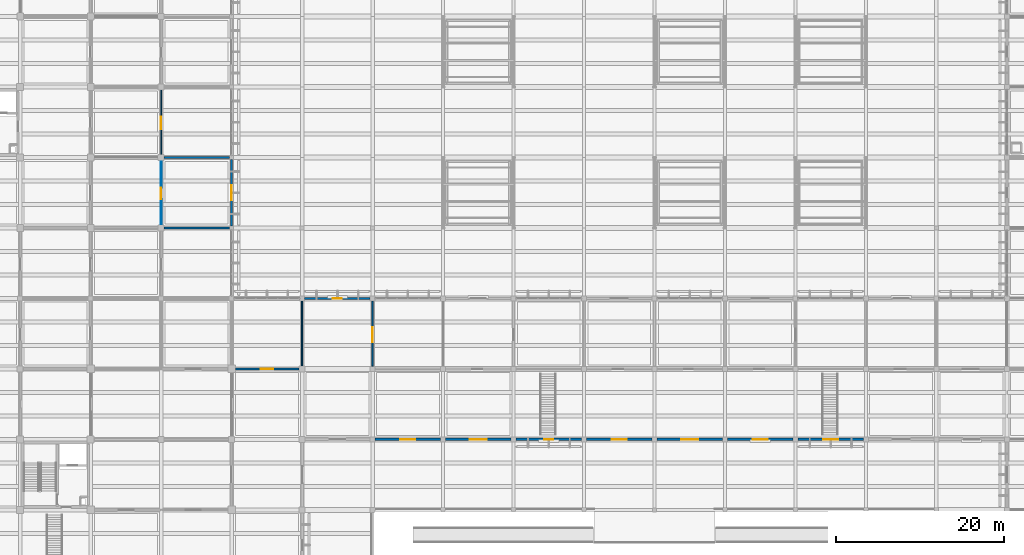
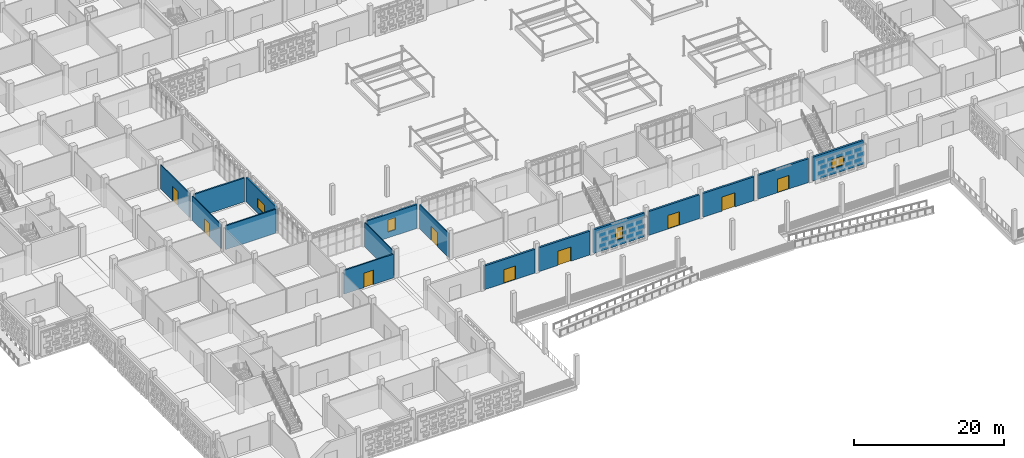
# One storey, part 60 of 129: 16 walls, 9 doors, 4 windows, 13 openings.
"""IFC4 building model written with IfcOpenShell, lengths in metres."""

from ifc_helpers import new_model, si_unit, direction, frame, frame_2d, origin, place, context, subcontext, project, spatial, rectangle, extrude, material, layer, layer_set, type_object, element, fill, save


model = new_model("IFC4")

# Units and contexts
model_context = context("Model", 3, precision=1e-05, world=origin(), true_north=direction((0.0, 1.0)))
body_context = subcontext(model_context, "Body", "Model", "MODEL_VIEW")
ifc_project = project(units=[si_unit("LENGTHUNIT", "METRE"), si_unit("AREAUNIT", "SQUARE_METRE"), si_unit("VOLUMEUNIT", "CUBIC_METRE"), si_unit("PLANEANGLEUNIT", "RADIAN"), si_unit("MASSUNIT", "GRAM", prefix="KILO")], contexts=[model_context])

# Site, building, storey
site_placement = place(None, origin())
site = spatial("IfcSite", under=ifc_project, at=site_placement, CompositionType="ELEMENT")
building_placement = place(site_placement, origin())
building = spatial("IfcBuilding", under=site, at=building_placement, Name="Varnapada Polytechnic", CompositionType="ELEMENT")
storey_placement = place(building_placement, origin())
storey = spatial("IfcBuildingStorey", under=building, at=storey_placement, Name="L00", CompositionType="ELEMENT", Elevation=0.0)

# Wall, opening, door
ifc_material_1 = material(Name="Cross-laminated timber CLT C24", Category="wood")
ifc_layer_1 = layer(ifc_material_1, 0.159912109375)
ifc_layer_set_1 = layer_set([ifc_layer_1], Name="Cross-laminated timber CLT C24")
wall_type_1 = type_object("IfcWallType", Name="Interior Wall IW-05", PredefinedType="PARTITIONING", material=ifc_layer_set_1)
wall_1_placement = place(storey_placement, frame((58.800048828125, 33.919921875, 0.0), z_axis=(0.0, 0.0, 1.0), x_axis=(0.0, 1.0, 0.0)))
wall_1 = element("IfcWall", 1, at=wall_1_placement, inside=storey, type_object=wall_type_1, Name="L00 interior partition IW-L00-06-04-V", PredefinedType="PARTITIONING", context=body_context, shape_type="SweptSolid", body=[
    extrude(rectangle(XDim=7.760009765625, YDim=0.159912109375, at=frame_2d((3.8798828125, 0.0))), origin(), (0.0, 0.0, 1.0), 3.919921875),
])
opening_1_placement = place(wall_1_placement, frame((2.85009765625, 0.0, 0.0)))
opening_1 = element("IfcOpeningElement", 2, at=opening_1_placement, cuts=wall_1, Name="Opening D-869", PredefinedType="OPENING", context=body_context, shape_type="SweptSolid", body=[
    extrude(rectangle(XDim=1.800048828125, YDim=2.300048828125, at=frame_2d((0.89990234375, 1.14990234375))), frame((0.0, 0.08984375, 0.0), z_axis=(0.0, -1.0, 0.0), x_axis=(1.0, 0.0, 0.0)), (0.0, 0.0, 1.0), 0.179931640625),
])
ifc_material_2 = material(Name="Acoustic Double Timber Leaf", Category="wood")
door_type_1 = type_object("IfcDoorType", Name="Interior Door ID-04", OperationType="NOTDEFINED", PredefinedType="DOOR", material=ifc_material_2)
door_1_placement = place(opening_1_placement, frame((1.800048828125, 0.0, 0.0), z_axis=(0.0, 0.0, 1.0), x_axis=(-1.0, 0.0, 0.0)))
door_1 = element("IfcDoor", 3, at=door_1_placement, inside=storey, type_object=door_type_1, Name="L00 interior room door D-869", OperationType="SINGLE_SWING_RIGHT", OverallHeight=2.300048828125, OverallWidth=1.800048828125, PredefinedType="DOOR", context=body_context, shape_type="SweptSolid", body=[
    extrude(rectangle(XDim=1.800048828125, YDim=2.300048828125, at=frame_2d((0.89990234375, 1.14990234375))), frame((0.0, 0.02490234375, 0.0), z_axis=(0.0, -1.0, 0.0), x_axis=(1.0, 0.0, 0.0)), (0.0, 0.0, 1.0), 0.050048828125),
])
fill(opening_1, door_1)

ifc_material_3 = material(Name="Glazed Timber-Framed Studio Screen", Category="wood")
ifc_layer_2 = layer(ifc_material_3, 0.110107421875)
ifc_layer_set_2 = layer_set([ifc_layer_2], Name="Glazed Timber-Framed Studio Screen")
wall_type_2 = type_object("IfcWallType", Name="Interior Wall IW-07", PredefinedType="PARTITIONING", material=ifc_layer_set_2)
wall_2_placement = place(storey_placement, frame((33.60009765625, 50.77001953125, 0.0), z_axis=(0.0, 0.0, 1.0), x_axis=(0.0, 1.0, 0.0)))
wall_2 = element("IfcWall", 4, at=wall_2_placement, inside=storey, type_object=wall_type_2, Name="L00 interior partition IW-L00-03-06-V", PredefinedType="PARTITIONING", context=body_context, shape_type="SweptSolid", body=[
    extrude(rectangle(XDim=7.659912109375, YDim=0.110107421875, at=frame_2d((3.830078125, 0.0))), origin(), (0.0, 0.0, 1.0), 3.919921875),
])
opening_2_placement = place(wall_2_placement, frame((3.074951171875, 0.0, 0.0)))
opening_2 = element("IfcOpeningElement", 5, at=opening_2_placement, cuts=wall_2, Name="Opening D-848", PredefinedType="OPENING", context=body_context, shape_type="SweptSolid", body=[
    extrude(rectangle(XDim=1.35009765625, YDim=2.25, at=frame_2d((0.675048828125, 1.125))), frame((0.0, 0.06494140625, 0.0), z_axis=(0.0, -1.0, 0.0), x_axis=(1.0, 0.0, 0.0)), (0.0, 0.0, 1.0), 0.130126953125),
])
ifc_material_4 = material(Name="Powder-Coated Aluminium 6063-T6", Category="aluminium")
door_type_2 = type_object("IfcDoorType", Name="Interior Door ID-17", OperationType="NOTDEFINED", PredefinedType="DOOR", material=ifc_material_4)
door_2_placement = place(opening_2_placement, frame((1.35009765625, 0.0, 0.0), z_axis=(0.0, 0.0, 1.0), x_axis=(-1.0, 0.0, 0.0)))
door_2 = element("IfcDoor", 6, at=door_2_placement, inside=storey, type_object=door_type_2, Name="L00 interior room door D-848", OperationType="SINGLE_SWING_LEFT", OverallHeight=2.25, OverallWidth=1.35009765625, PredefinedType="DOOR", context=body_context, shape_type="SweptSolid", body=[
    extrude(rectangle(XDim=1.35009765625, YDim=2.25, at=frame_2d((0.675048828125, 1.125))), frame((0.0, 0.02490234375, 0.0), z_axis=(0.0, -1.0, 0.0), x_axis=(1.0, 0.0, 0.0)), (0.0, 0.0, 1.0), 0.050048828125),
])
fill(opening_2, door_2)

ifc_material_5 = material(Name="Calcium Silicate Acoustic Lab Partition")
ifc_layer_3 = layer(ifc_material_5, 0.135009765625)
ifc_layer_set_3 = layer_set([ifc_layer_3], Name="Calcium Silicate Acoustic Lab Partition")
wall_type_3 = type_object("IfcWallType", Name="Interior Wall IW-09", PredefinedType="PARTITIONING", material=ifc_layer_set_3)
wall_3_placement = place(storey_placement, frame((33.60009765625, 59.169921875, 0.0), z_axis=(0.0, 0.0, 1.0), x_axis=(0.0, 1.0, 0.0)))
wall_3 = element("IfcWall", 7, at=wall_3_placement, inside=storey, type_object=wall_type_3, Name="L00 interior partition IW-L00-03-07-V", PredefinedType="PARTITIONING", context=body_context, shape_type="SweptSolid", body=[
    extrude(rectangle(XDim=7.66015625, YDim=0.135009765625, at=frame_2d((3.830078125, 0.0))), origin(), (0.0, 0.0, 1.0), 3.919921875),
])
opening_3_placement = place(wall_3_placement, frame((3.02490234375, 0.0, 0.0)))
opening_3 = element("IfcOpeningElement", 8, at=opening_3_placement, cuts=wall_3, Name="Opening D-849", PredefinedType="OPENING", context=body_context, shape_type="SweptSolid", body=[
    extrude(rectangle(XDim=1.449951171875, YDim=2.35009765625, at=frame_2d((0.72509765625, 1.175048828125))), frame((0.0, 0.077392578125, 0.0), z_axis=(0.0, -1.0, 0.0), x_axis=(1.0, 0.0, 0.0)), (0.0, 0.0, 1.0), 0.155029296875),
])
ifc_material_6 = material(Name="Galvanized Steel Z275", Category="steel")
door_type_3 = type_object("IfcDoorType", Name="Interior Door ID-18", OperationType="NOTDEFINED", PredefinedType="DOOR", material=ifc_material_6)
door_3_placement = place(opening_3_placement, origin())
door_3 = element("IfcDoor", 9, at=door_3_placement, inside=storey, type_object=door_type_3, Name="L00 interior room door D-849", OperationType="SINGLE_SWING_RIGHT", OverallHeight=2.35009765625, OverallWidth=1.449951171875, PredefinedType="DOOR", context=body_context, shape_type="SweptSolid", body=[
    extrude(rectangle(XDim=1.449951171875, YDim=2.35009765625, at=frame_2d((0.72509765625, 1.175048828125))), frame((0.0, 0.02490234375, 0.0), z_axis=(0.0, -1.0, 0.0), x_axis=(1.0, 0.0, 0.0)), (0.0, 0.0, 1.0), 0.050048828125),
])
fill(opening_3, door_3)

ifc_material_7 = material(Name="Heavy Acoustic Auditorium Baffle Wall")
ifc_layer_4 = layer(ifc_material_7, 0.219970703125)
ifc_layer_set_4 = layer_set([ifc_layer_4], Name="Heavy Acoustic Auditorium Baffle Wall")
wall_type_4 = type_object("IfcWallType", Name="Interior Wall IW-13", PredefinedType="PARTITIONING", material=ifc_layer_set_4)
wall_4_placement = place(storey_placement, frame((42.469970703125, 33.60009765625, 0.0), z_axis=(0.0, 0.0, 1.0), x_axis=(1.0, 0.0, 0.0)))
wall_4 = element("IfcWall", 10, at=wall_4_placement, inside=storey, type_object=wall_type_4, Name="L00 interior partition IW-L00-05-03-H", PredefinedType="PARTITIONING", context=body_context, shape_type="SweptSolid", body=[
    extrude(rectangle(XDim=7.56005859375, YDim=0.219970703125, at=frame_2d((3.780029296875, 0.0))), origin(), (0.0, 0.0, 1.0), 3.85009765625),
])
opening_4_placement = place(wall_4_placement, frame((3.02490234375, 0.0, 0.0)))
opening_4 = element("IfcOpeningElement", 11, at=opening_4_placement, cuts=wall_4, Name="Opening D-866", PredefinedType="OPENING", context=body_context, shape_type="SweptSolid", body=[
    extrude(rectangle(XDim=1.449951171875, YDim=2.35009765625, at=frame_2d((0.72509765625, 1.175048828125))), frame((0.0, 0.119873046875, 0.0), z_axis=(0.0, -1.0, 0.0), x_axis=(1.0, 0.0, 0.0)), (0.0, 0.0, 1.0), 0.239990234375),
])
door_4_placement = place(opening_4_placement, frame((1.449951171875, 0.0, 0.0), z_axis=(0.0, 0.0, 1.0), x_axis=(-1.0, 0.0, 0.0)))
door_4 = element("IfcDoor", 12, at=door_4_placement, inside=storey, type_object=door_type_3, Name="L00 interior room door D-866", OperationType="SINGLE_SWING_LEFT", OverallHeight=2.35009765625, OverallWidth=1.449951171875, PredefinedType="DOOR", context=body_context, shape_type="SweptSolid", body=[
    extrude(rectangle(XDim=1.449951171875, YDim=2.35009765625, at=frame_2d((0.72509765625, 1.175048828125))), frame((0.0, 0.02490234375, 0.0), z_axis=(0.0, -1.0, 0.0), x_axis=(1.0, 0.0, 0.0)), (0.0, 0.0, 1.0), 0.050048828125),
])
fill(opening_4, door_4)

# Walls
ifc_material_8 = material(Name="Ceramic-Tiled Wet Laboratory Wall")
ifc_layer_5 = layer(ifc_material_8, 0.14501953125)
ifc_layer_set_5 = layer_set([ifc_layer_5], Name="Ceramic-Tiled Wet Laboratory Wall")
wall_type_5 = type_object("IfcWallType", Name="Interior Wall IW-14", PredefinedType="PARTITIONING", material=ifc_layer_set_5)
wall_5_placement = place(storey_placement, frame((50.39990234375, 33.969970703125, 0.0), z_axis=(0.0, 0.0, 1.0), x_axis=(0.0, 1.0, 0.0)))
element("IfcWall", 13, at=wall_5_placement, inside=storey, type_object=wall_type_5, Name="L00 interior partition IW-L00-05-04-V", PredefinedType="PARTITIONING", context=body_context, shape_type="SweptSolid", body=[
    extrude(rectangle(XDim=7.7099609375, YDim=0.14501953125, at=frame_2d((3.85498046875, 0.0))), origin(), (0.0, 0.0, 1.0), 3.919921875),
])
ifc_material_9 = material(Name="Heavy Masonry Workshop Partition", Category="masonry")
ifc_layer_6 = layer(ifc_material_9, 0.2099609375)
ifc_layer_set_6 = layer_set([ifc_layer_6], Name="Heavy Masonry Workshop Partition")
wall_type_6 = type_object("IfcWallType", Name="Interior Wall IW-16", PredefinedType="PARTITIONING", material=ifc_layer_set_6)
wall_6_placement = place(storey_placement, frame((33.969970703125, 50.39990234375, 0.0), z_axis=(0.0, 0.0, 1.0), x_axis=(1.0, 0.0, 0.0)))
element("IfcWall", 14, at=wall_6_placement, inside=storey, type_object=wall_type_6, Name="L00 interior partition IW-L00-04-05-H", PredefinedType="PARTITIONING", context=body_context, shape_type="SweptSolid", body=[
    extrude(rectangle(XDim=7.760009765625, YDim=0.2099609375, at=frame_2d((3.8798828125, 0.0))), origin(), (0.0, 0.0, 1.0), 3.860107421875),
])
ifc_material_10 = material(Name="Double-Leaf Acoustic Lecture Wall")
ifc_layer_7 = layer(ifc_material_10, 0.235107421875)
ifc_layer_set_7 = layer_set([ifc_layer_7], Name="Double-Leaf Acoustic Lecture Wall")
wall_type_7 = type_object("IfcWallType", Name="Interior Wall IW-17", PredefinedType="PARTITIONING", material=ifc_layer_set_7)
wall_7_placement = place(storey_placement, frame((33.969970703125, 58.800048828125, 0.0), z_axis=(0.0, 0.0, 1.0), x_axis=(1.0, 0.0, 0.0)))
element("IfcWall", 15, at=wall_7_placement, inside=storey, type_object=wall_type_7, Name="L00 interior partition IW-L00-04-06-H", PredefinedType="PARTITIONING", context=body_context, shape_type="SweptSolid", body=[
    extrude(rectangle(XDim=7.760009765625, YDim=0.235107421875, at=frame_2d((3.8798828125, 0.0))), origin(), (0.0, 0.0, 1.0), 3.8701171875),
])

# Wall, opening, door
ifc_material_11 = material(Name="Precast concrete C40/50", Category="concrete")
ifc_layer_8 = layer(ifc_material_11, 0.300048828125)
ifc_layer_set_8 = layer_set([ifc_layer_8], Name="Precast concrete C40/50")
wall_type_8 = type_object("IfcWallType", Name="Wall EW-01", PredefinedType="SOLIDWALL", material=ifc_layer_set_8)
wall_8_placement = place(storey_placement, frame((66.89990234375, 25.199951171875, 0.0), z_axis=(0.0, 0.0, 1.0), x_axis=(-1.0, 0.0, 0.0)))
wall_8 = element("IfcWall", 16, at=wall_8_placement, inside=storey, type_object=wall_type_8, Name="L00 exterior wall EW-01 (44)", PredefinedType="SOLIDWALL", context=body_context, shape_type="SweptSolid", body=[
    extrude(rectangle(XDim=7.7998046875, YDim=0.300048828125, at=frame_2d((3.89990234375, 0.0))), origin(), (0.0, 0.0, 1.0), 3.860107421875),
])
opening_5_placement = place(wall_8_placement, frame((3.0, 0.0, 0.0)))
opening_5 = element("IfcOpeningElement", 17, at=opening_5_placement, cuts=wall_8, Name="Opening D-009", PredefinedType="OPENING", context=body_context, shape_type="SweptSolid", body=[
    extrude(rectangle(XDim=1.800048828125, YDim=2.199951171875, at=frame_2d((0.89990234375, 1.10009765625))), frame((0.0, 0.159912109375, 0.0), z_axis=(0.0, -1.0, 0.0), x_axis=(1.0, 0.0, 0.0)), (0.0, 0.0, 1.0), 0.320068359375),
])
ifc_material_12 = material(Name="Painted galvanized steel", Category="steel")
door_type_4 = type_object("IfcDoorType", Name="Exterior Door ED-02", OperationType="DOUBLE_DOOR_SINGLE_SWING", PredefinedType="DOOR", material=ifc_material_12)
door_5_placement = place(opening_5_placement, origin())
door_5 = element("IfcDoor", 18, at=door_5_placement, inside=storey, type_object=door_type_4, Name="L00 final pedestrian exit door D-009", OperationType="DOUBLE_DOOR_SINGLE_SWING", OverallHeight=2.199951171875, OverallWidth=1.800048828125, PredefinedType="DOOR", context=body_context, shape_type="SweptSolid", body=[
    extrude(rectangle(XDim=1.800048828125, YDim=2.199951171875, at=frame_2d((0.89990234375, 1.10009765625))), frame((0.0, 0.02490234375, 0.0), z_axis=(0.0, -1.0, 0.0), x_axis=(1.0, 0.0, 0.0)), (0.0, 0.0, 1.0), 0.050048828125),
])
fill(opening_5, door_5)

wall_9_placement = place(storey_placement, frame((75.300048828125, 25.199951171875, 0.0), z_axis=(0.0, 0.0, 1.0), x_axis=(-1.0, 0.0, 0.0)))
wall_9 = element("IfcWall", 19, at=wall_9_placement, inside=storey, type_object=wall_type_8, Name="L00 exterior wall EW-01 (48)", PredefinedType="SOLIDWALL", context=body_context, shape_type="SweptSolid", body=[
    extrude(rectangle(XDim=7.800048828125, YDim=0.300048828125, at=frame_2d((3.89990234375, 0.0))), origin(), (0.0, 0.0, 1.0), 3.8701171875),
])
opening_6_placement = place(wall_9_placement, frame((2.89990234375, 0.0, 0.0)))
opening_6 = element("IfcOpeningElement", 20, at=opening_6_placement, cuts=wall_9, Name="Opening D-010", PredefinedType="OPENING", context=body_context, shape_type="SweptSolid", body=[
    extrude(rectangle(XDim=2.0, YDim=2.300048828125, at=frame_2d((1.0, 1.14990234375))), frame((0.0, 0.159912109375, 0.0), z_axis=(0.0, -1.0, 0.0), x_axis=(1.0, 0.0, 0.0)), (0.0, 0.0, 1.0), 0.320068359375),
])
ifc_material_13 = material(Name="Anodised aluminium and laminated glass", Category="aluminium")
door_type_5 = type_object("IfcDoorType", Name="Exterior Door ED-01", OperationType="DOUBLE_DOOR_SINGLE_SWING", PredefinedType="DOOR", material=ifc_material_13)
door_6_placement = place(opening_6_placement, origin())
door_6 = element("IfcDoor", 21, at=door_6_placement, inside=storey, type_object=door_type_5, Name="L00 final pedestrian exit door D-010", OperationType="DOUBLE_DOOR_SINGLE_SWING", OverallHeight=2.300048828125, OverallWidth=2.0, PredefinedType="DOOR", context=body_context, shape_type="SweptSolid", body=[
    extrude(rectangle(XDim=2.0, YDim=2.300048828125, at=frame_2d((1.0, 1.14990234375))), frame((0.0, 0.02490234375, 0.0), z_axis=(0.0, -1.0, 0.0), x_axis=(1.0, 0.0, 0.0)), (0.0, 0.0, 1.0), 0.050048828125),
])
fill(opening_6, door_6)

# Wall, opening, window
wall_10_placement = place(storey_placement, frame((83.699951171875, 25.199951171875, 0.0), z_axis=(0.0, 0.0, 1.0), x_axis=(-1.0, 0.0, 0.0)))
wall_10 = element("IfcWall", 22, at=wall_10_placement, inside=storey, type_object=wall_type_8, Name="L00 exterior wall EW-01 (52)", PredefinedType="SOLIDWALL", context=body_context, shape_type="SweptSolid", body=[
    extrude(rectangle(XDim=7.800048828125, YDim=0.300048828125, at=frame_2d((3.89990234375, 0.0))), origin(), (0.0, 0.0, 1.0), 3.8701171875),
])
opening_7_placement = place(wall_10_placement, frame((3.35009765625, 0.0, 0.949951171875)))
opening_7 = element("IfcOpeningElement", 23, at=opening_7_placement, cuts=wall_10, Name="Opening WN-15", PredefinedType="OPENING", context=body_context, shape_type="SweptSolid", body=[
    extrude(rectangle(XDim=1.10009765625, YDim=1.949951171875, at=frame_2d((0.550048828125, 0.97509765625))), frame((0.0, 0.159912109375, 0.0), z_axis=(0.0, -1.0, 0.0), x_axis=(1.0, 0.0, 0.0)), (0.0, 0.0, 1.0), 0.320068359375),
])
ifc_material_14 = material(Name="Double low-E laminated glass", Category="glass")
window_type_1 = type_object("IfcWindowType", Name="Window WN-15", PartitioningType="SINGLE_PANEL", PredefinedType="WINDOW", material=ifc_material_14)
window_1_placement = place(opening_7_placement, origin())
window_1 = element("IfcWindow", 24, at=window_1_placement, inside=storey, type_object=window_type_1, Name="L00 window WN-15 (31)", OverallHeight=1.949951171875, OverallWidth=1.10009765625, PartitioningType="SINGLE_PANEL", PredefinedType="WINDOW", context=body_context, shape_type="SweptSolid", body=[
    extrude(rectangle(XDim=1.10009765625, YDim=1.949951171875, at=frame_2d((0.550048828125, 0.97509765625))), frame((0.0, 0.030029296875, 0.0), z_axis=(0.0, -1.0, 0.0), x_axis=(1.0, 0.0, 0.0)), (0.0, 0.0, 1.0), 0.06005859375),
])
fill(opening_7, window_1)

# Wall, opening, door
wall_11_placement = place(storey_placement, frame((92.10009765625, 25.199951171875, 0.0), z_axis=(0.0, 0.0, 1.0), x_axis=(-1.0, 0.0, 0.0)))
wall_11 = element("IfcWall", 25, at=wall_11_placement, inside=storey, type_object=wall_type_8, Name="L00 exterior wall EW-01 (56)", PredefinedType="SOLIDWALL", context=body_context, shape_type="SweptSolid", body=[
    extrude(rectangle(XDim=7.800048828125, YDim=0.300048828125, at=frame_2d((3.89990234375, 0.0))), origin(), (0.0, 0.0, 1.0), 3.8701171875),
])
opening_8_placement = place(wall_11_placement, frame((3.0, 0.0, 0.0)))
opening_8 = element("IfcOpeningElement", 26, at=opening_8_placement, cuts=wall_11, Name="Opening D-013", PredefinedType="OPENING", context=body_context, shape_type="SweptSolid", body=[
    extrude(rectangle(XDim=1.800048828125, YDim=2.199951171875, at=frame_2d((0.89990234375, 1.10009765625))), frame((0.0, 0.159912109375, 0.0), z_axis=(0.0, -1.0, 0.0), x_axis=(1.0, 0.0, 0.0)), (0.0, 0.0, 1.0), 0.320068359375),
])
door_7_placement = place(opening_8_placement, origin())
door_7 = element("IfcDoor", 27, at=door_7_placement, inside=storey, type_object=door_type_4, Name="L00 final pedestrian exit door D-013", OperationType="DOUBLE_DOOR_SINGLE_SWING", OverallHeight=2.199951171875, OverallWidth=1.800048828125, PredefinedType="DOOR", context=body_context, shape_type="SweptSolid", body=[
    extrude(rectangle(XDim=1.800048828125, YDim=2.199951171875, at=frame_2d((0.89990234375, 1.10009765625))), frame((0.0, 0.02490234375, 0.0), z_axis=(0.0, -1.0, 0.0), x_axis=(1.0, 0.0, 0.0)), (0.0, 0.0, 1.0), 0.050048828125),
])
fill(opening_8, door_7)

wall_12_placement = place(storey_placement, frame((100.5, 25.199951171875, 0.0), z_axis=(0.0, 0.0, 1.0), x_axis=(-1.0, 0.0, 0.0)))
wall_12 = element("IfcWall", 28, at=wall_12_placement, inside=storey, type_object=wall_type_8, Name="L00 exterior wall EW-01 (60)", PredefinedType="SOLIDWALL", context=body_context, shape_type="SweptSolid", body=[
    extrude(rectangle(XDim=7.800048828125, YDim=0.300048828125, at=frame_2d((3.89990234375, 0.0))), origin(), (0.0, 0.0, 1.0), 3.8701171875),
])
opening_9_placement = place(wall_12_placement, frame((2.89990234375, 0.0, 0.0)))
opening_9 = element("IfcOpeningElement", 29, at=opening_9_placement, cuts=wall_12, Name="Opening D-016", PredefinedType="OPENING", context=body_context, shape_type="SweptSolid", body=[
    extrude(rectangle(XDim=2.0, YDim=2.300048828125, at=frame_2d((1.0, 1.14990234375))), frame((0.0, 0.159912109375, 0.0), z_axis=(0.0, -1.0, 0.0), x_axis=(1.0, 0.0, 0.0)), (0.0, 0.0, 1.0), 0.320068359375),
])
door_8_placement = place(opening_9_placement, origin())
door_8 = element("IfcDoor", 30, at=door_8_placement, inside=storey, type_object=door_type_5, Name="L00 final pedestrian exit door D-016", OperationType="DOUBLE_DOOR_SINGLE_SWING", OverallHeight=2.300048828125, OverallWidth=2.0, PredefinedType="DOOR", context=body_context, shape_type="SweptSolid", body=[
    extrude(rectangle(XDim=2.0, YDim=2.300048828125, at=frame_2d((1.0, 1.14990234375))), frame((0.0, 0.02490234375, 0.0), z_axis=(0.0, -1.0, 0.0), x_axis=(1.0, 0.0, 0.0)), (0.0, 0.0, 1.0), 0.050048828125),
])
fill(opening_9, door_8)

wall_13_placement = place(storey_placement, frame((108.89990234375, 25.199951171875, 0.0), z_axis=(0.0, 0.0, 1.0), x_axis=(-1.0, 0.0, 0.0)))
wall_13 = element("IfcWall", 31, at=wall_13_placement, inside=storey, type_object=wall_type_8, Name="L00 exterior wall EW-01 (64)", PredefinedType="SOLIDWALL", context=body_context, shape_type="SweptSolid", body=[
    extrude(rectangle(XDim=7.7998046875, YDim=0.300048828125, at=frame_2d((3.89990234375, 0.0))), origin(), (0.0, 0.0, 1.0), 3.8701171875),
])
opening_10_placement = place(wall_13_placement, frame((3.0, 0.0, 0.0)))
opening_10 = element("IfcOpeningElement", 32, at=opening_10_placement, cuts=wall_13, Name="Opening D-017", PredefinedType="OPENING", context=body_context, shape_type="SweptSolid", body=[
    extrude(rectangle(XDim=1.800048828125, YDim=2.199951171875, at=frame_2d((0.89990234375, 1.10009765625))), frame((0.0, 0.159912109375, 0.0), z_axis=(0.0, -1.0, 0.0), x_axis=(1.0, 0.0, 0.0)), (0.0, 0.0, 1.0), 0.320068359375),
])
door_9_placement = place(opening_10_placement, origin())
door_9 = element("IfcDoor", 33, at=door_9_placement, inside=storey, type_object=door_type_4, Name="L00 final pedestrian exit door D-017", OperationType="DOUBLE_DOOR_SINGLE_SWING", OverallHeight=2.199951171875, OverallWidth=1.800048828125, PredefinedType="DOOR", context=body_context, shape_type="SweptSolid", body=[
    extrude(rectangle(XDim=1.800048828125, YDim=2.199951171875, at=frame_2d((0.89990234375, 1.10009765625))), frame((0.0, 0.02490234375, 0.0), z_axis=(0.0, -1.0, 0.0), x_axis=(1.0, 0.0, 0.0)), (0.0, 0.0, 1.0), 0.050048828125),
])
fill(opening_10, door_9)

# Wall, opening, window
wall_14_placement = place(storey_placement, frame((117.300048828125, 25.199951171875, 0.0), z_axis=(0.0, 0.0, 1.0), x_axis=(-1.0, 0.0, 0.0)))
wall_14 = element("IfcWall", 34, at=wall_14_placement, inside=storey, type_object=wall_type_8, Name="L00 exterior wall EW-01 (68)", PredefinedType="SOLIDWALL", context=body_context, shape_type="SweptSolid", body=[
    extrude(rectangle(XDim=7.800048828125, YDim=0.300048828125, at=frame_2d((3.89990234375, 0.0))), origin(), (0.0, 0.0, 1.0), 3.8701171875),
])
opening_11_placement = place(wall_14_placement, frame((3.0, 0.0, 0.949951171875)))
opening_11 = element("IfcOpeningElement", 35, at=opening_11_placement, cuts=wall_14, Name="Opening WN-05", PredefinedType="OPENING", context=body_context, shape_type="SweptSolid", body=[
    extrude(rectangle(XDim=1.800048828125, YDim=1.5, at=frame_2d((0.89990234375, 0.75))), frame((0.0, 0.159912109375, 0.0), z_axis=(0.0, -1.0, 0.0), x_axis=(1.0, 0.0, 0.0)), (0.0, 0.0, 1.0), 0.320068359375),
])
window_type_2 = type_object("IfcWindowType", Name="Window WN-05", PartitioningType="SINGLE_PANEL", PredefinedType="WINDOW", material=ifc_material_14)
window_2_placement = place(opening_11_placement, origin())
window_2 = element("IfcWindow", 36, at=window_2_placement, inside=storey, type_object=window_type_2, Name="L00 window WN-05 (36)", OverallHeight=1.5, OverallWidth=1.800048828125, PartitioningType="SINGLE_PANEL", PredefinedType="WINDOW", context=body_context, shape_type="SweptSolid", body=[
    extrude(rectangle(XDim=1.800048828125, YDim=1.5, at=frame_2d((0.89990234375, 0.75))), frame((0.0, 0.030029296875, 0.0), z_axis=(0.0, -1.0, 0.0), x_axis=(1.0, 0.0, 0.0)), (0.0, 0.0, 1.0), 0.06005859375),
])
fill(opening_11, window_2)

ifc_layer_9 = layer(ifc_material_11, 0.260009765625)
ifc_layer_set_9 = layer_set([ifc_layer_9], Name="Precast concrete C40/50")
wall_type_9 = type_object("IfcWallType", Name="Wall EW-03", PredefinedType="SOLIDWALL", material=ifc_layer_set_9)
wall_15_placement = place(storey_placement, frame((42.0, 58.550048828125, 0.0), z_axis=(0.0, 0.0, 1.0), x_axis=(0.0, -1.0, 0.0)))
wall_15 = element("IfcWall", 37, at=wall_15_placement, inside=storey, type_object=wall_type_9, Name="L00 exterior wall EW-03 (26)", PredefinedType="SOLIDWALL", context=body_context, shape_type="SweptSolid", body=[
    extrude(rectangle(XDim=7.900146484375, YDim=0.260009765625, at=frame_2d((3.9501953125, 0.0))), origin(), (0.0, 0.0, 1.0), 3.9599609375),
])
opening_12_placement = place(wall_15_placement, frame((3.050048828125, 0.0, 0.949951171875)))
opening_12 = element("IfcOpeningElement", 38, at=opening_12_placement, cuts=wall_15, Name="Opening WN-05", PredefinedType="OPENING", context=body_context, shape_type="SweptSolid", body=[
    extrude(rectangle(XDim=1.800048828125, YDim=1.5, at=frame_2d((0.89990234375, 0.75))), frame((0.0, 0.139892578125, 0.0), z_axis=(0.0, -1.0, 0.0), x_axis=(1.0, 0.0, 0.0)), (0.0, 0.0, 1.0), 0.280029296875),
])
window_3_placement = place(opening_12_placement, origin())
window_3 = element("IfcWindow", 39, at=window_3_placement, inside=storey, type_object=window_type_2, Name="L00 window WN-05 (20)", OverallHeight=1.5, OverallWidth=1.800048828125, PartitioningType="SINGLE_PANEL", PredefinedType="WINDOW", context=body_context, shape_type="SweptSolid", body=[
    extrude(rectangle(XDim=1.800048828125, YDim=1.5, at=frame_2d((0.89990234375, 0.75))), frame((0.0, 0.030029296875, 0.0), z_axis=(0.0, -1.0, 0.0), x_axis=(1.0, 0.0, 0.0)), (0.0, 0.0, 1.0), 0.06005859375),
])
fill(opening_12, window_3)

wall_16_placement = place(storey_placement, frame((50.699951171875, 42.0, 0.0), z_axis=(0.0, 0.0, 1.0), x_axis=(1.0, 0.0, 0.0)))
wall_16 = element("IfcWall", 40, at=wall_16_placement, inside=storey, type_object=wall_type_9, Name="L00 exterior wall EW-03 (40)", PredefinedType="SOLIDWALL", context=body_context, shape_type="SweptSolid", body=[
    extrude(rectangle(XDim=7.800048828125, YDim=0.260009765625, at=frame_2d((3.89990234375, 0.0))), origin(), (0.0, 0.0, 1.0), 3.860107421875),
])
opening_13_placement = place(wall_16_placement, frame((3.35009765625, 0.0, 0.949951171875)))
opening_13 = element("IfcOpeningElement", 41, at=opening_13_placement, cuts=wall_16, Name="Opening WN-15", PredefinedType="OPENING", context=body_context, shape_type="SweptSolid", body=[
    extrude(rectangle(XDim=1.10009765625, YDim=1.949951171875, at=frame_2d((0.550048828125, 0.97509765625))), frame((0.0, 0.139892578125, 0.0), z_axis=(0.0, -1.0, 0.0), x_axis=(1.0, 0.0, 0.0)), (0.0, 0.0, 1.0), 0.280029296875),
])
window_4_placement = place(opening_13_placement, origin())
window_4 = element("IfcWindow", 42, at=window_4_placement, inside=storey, type_object=window_type_1, Name="L00 window WN-15 (27)", OverallHeight=1.949951171875, OverallWidth=1.10009765625, PartitioningType="SINGLE_PANEL", PredefinedType="WINDOW", context=body_context, shape_type="SweptSolid", body=[
    extrude(rectangle(XDim=1.10009765625, YDim=1.949951171875, at=frame_2d((0.550048828125, 0.97509765625))), frame((0.0, 0.030029296875, 0.0), z_axis=(0.0, -1.0, 0.0), x_axis=(1.0, 0.0, 0.0)), (0.0, 0.0, 1.0), 0.06005859375),
])
fill(opening_13, window_4)

save(model, "model.ifc")
